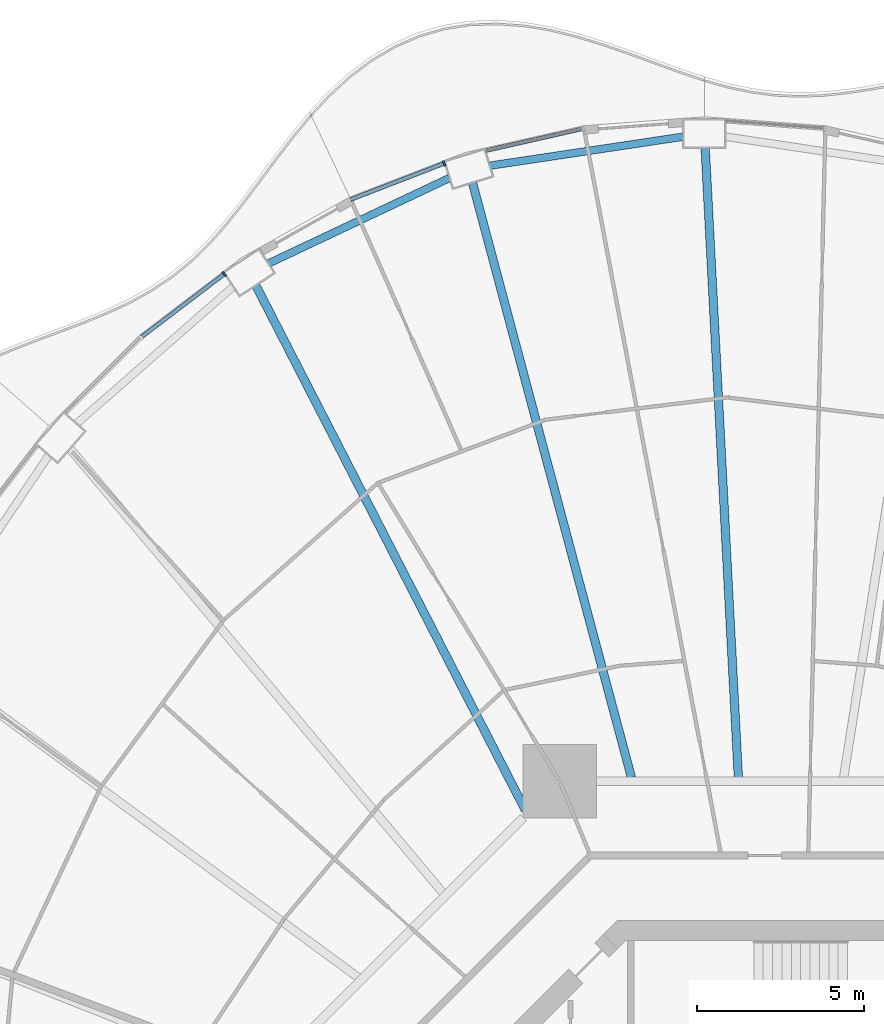
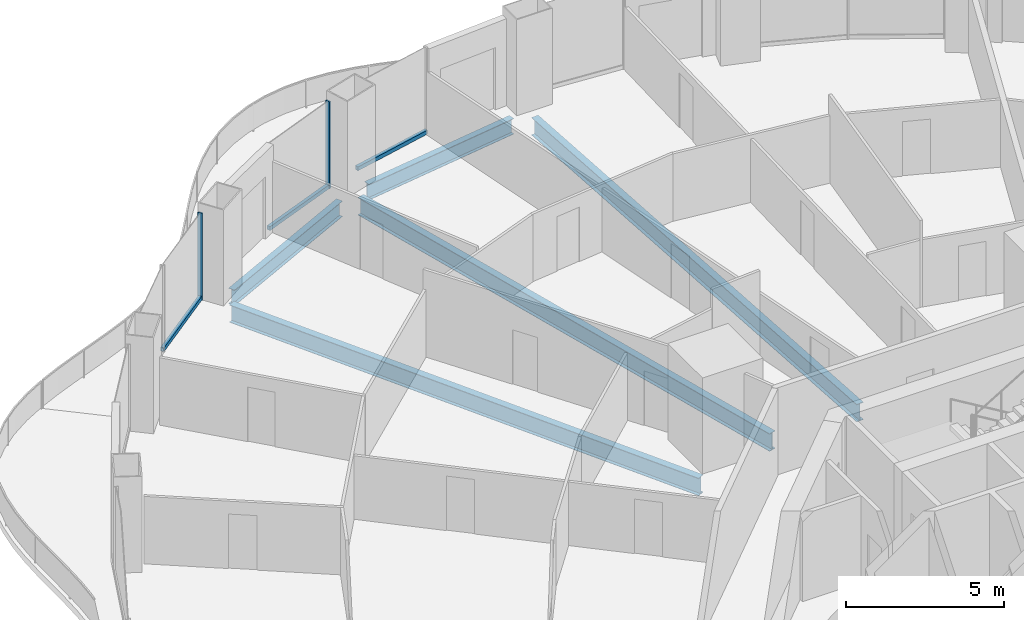
# One storey, part 9 of 23: 5 beams, 5 members, 3 elements without a shape of their own.
"""IFC4 building model written with IfcOpenShell, lengths in metres."""

from ifc_helpers import new_model, si_unit, direction, frame, origin, origin_2d, place, context, subcontext, project, spatial, rectangle, i_section, extrude, material, layer, layer_set, material_profile, profile_set, type_object, element, aggregate, save


model = new_model("IFC4")

# Units and contexts
model_context = context("Model", 3, precision=1e-05, world=origin(), true_north=direction((0.0, 1.0)))
body_context = subcontext(model_context, "Body", "Model", "MODEL_VIEW")
ifc_project = project(units=[si_unit("LENGTHUNIT", "METRE"), si_unit("AREAUNIT", "SQUARE_METRE"), si_unit("VOLUMEUNIT", "CUBIC_METRE"), si_unit("PLANEANGLEUNIT", "RADIAN"), si_unit("MASSUNIT", "GRAM", prefix="KILO")], contexts=[model_context])

# Site, building, storey
site_placement = place(None, origin())
site = spatial("IfcSite", under=ifc_project, at=site_placement, CompositionType="ELEMENT")
building_placement = place(site_placement, origin())
building = spatial("IfcBuilding", under=site, at=building_placement, Name="Nagisa Residences", CompositionType="ELEMENT")
storey_placement = place(building_placement, frame((0.0, 0.0, 110.300048828125)))
storey = spatial("IfcBuildingStorey", under=building, at=storey_placement, Name="L27", CompositionType="ELEMENT", Elevation=110.300048828125)

# Curtain wall, member
ifc_material_1 = material(Name="Concrete-coloured aluminium curtain wall system", Category="concrete")
ifc_layer = layer(ifc_material_1, 0.159912109375)
ifc_layer_set = layer_set([ifc_layer], Name="CW1 CURTAIN WALL")
curtain_wall_type = type_object("IfcCurtainWallType", Name="CW1 CURTAIN WALL", PredefinedType="NOTDEFINED", material=ifc_layer_set)
curtain_wall_1_placement = place(storey_placement, origin())
curtain_wall_1 = element("IfcCurtainWall", 1, at=curtain_wall_1_placement, inside=storey, type_object=curtain_wall_type, Name="cw:CW1:L27:14", PredefinedType="NOTDEFINED")
ifc_material_2 = material(Name="Concrete-coloured aluminium", Category="concrete")
ifc_material_profile_1 = material_profile(ifc_material_2, rectangle(XDim=0.159912109375, YDim=0.06005859375, at=origin_2d()), Name="CW1 MULLION 160x60")
ifc_profile_set_1 = profile_set([ifc_material_profile_1], Name="Concrete-coloured aluminium")
member_type_1 = type_object("IfcMemberType", Name="CW1 MULLION 160x60", PredefinedType="MULLION", material=ifc_profile_set_1)
member_1_placement = place(storey_placement, frame((-9.573486328125, 33.2392578125, 0.0), z_axis=(0.0, 0.0, 1.0), x_axis=(0.360327770268, -0.932825759707, 0.0)))
member_1 = element("IfcMember", 2, at=member_1_placement, type_object=member_type_1, Name="CW1 mullion", PredefinedType="MULLION", context=body_context, shape_type="SweptSolid", body=[
    extrude(rectangle(XDim=0.159912109375, YDim=0.06005859375, at=origin_2d()), origin(), (0.0, 0.0, 1.0), 3.349853515625),
])

curtain_wall_2_placement = place(storey_placement, origin())
curtain_wall_2 = element("IfcCurtainWall", 3, at=curtain_wall_2_placement, inside=storey, type_object=curtain_wall_type, Name="cw:CW1:L27:16", PredefinedType="NOTDEFINED")
member_2_placement = place(storey_placement, frame((-16.140380859375, 29.935302734375, 0.0), z_axis=(0.0, 0.0, 1.0), x_axis=(0.605255421737, -0.79603132756, 0.0)))
member_2 = element("IfcMember", 4, at=member_2_placement, type_object=member_type_1, Name="CW1 mullion", PredefinedType="MULLION", context=body_context, shape_type="SweptSolid", body=[
    extrude(rectangle(XDim=0.159912109375, YDim=0.06005859375, at=origin_2d()), origin(), (0.0, 0.0, 1.0), 3.349853515625),
])

curtain_wall_3_placement = place(storey_placement, origin())
curtain_wall_3 = element("IfcCurtainWall", 5, at=curtain_wall_3_placement, inside=storey, type_object=curtain_wall_type, Name="cw:CW1:L27:13", PredefinedType="NOTDEFINED")
ifc_material_3 = material(Name="Concrete-coloured aluminium", Category="concrete")
ifc_material_profile_2 = material_profile(ifc_material_3, rectangle(XDim=0.1201171875, YDim=0.14990234375, at=origin_2d()), Name="CW1 TRANSOM 120x150")
ifc_profile_set_2 = profile_set([ifc_material_profile_2], Name="Concrete-coloured aluminium")
member_type_2 = type_object("IfcMemberType", Name="CW1 TRANSOM 120x150", PredefinedType="USERDEFINED", material=ifc_profile_set_2)
member_3_placement = place(storey_placement, frame((-5.397216796875, 34.28515625, 0.074951171875), z_axis=(-0.975317607872, -0.220806620767, 0.0), x_axis=(0.220806620767, -0.975317607872, 0.0)))
member_3 = element("IfcMember", 6, at=member_3_placement, type_object=member_type_2, Name="CW1 transom", ObjectType="TRANSOM", PredefinedType="USERDEFINED", context=body_context, shape_type="SweptSolid", body=[
    extrude(rectangle(XDim=0.1201171875, YDim=0.14990234375, at=origin_2d()), origin(), (0.0, 0.0, 1.0), 2.9931640625),
])
aggregate(curtain_wall_3, [member_3])

# Member
member_4_placement = place(storey_placement, frame((-9.54541015625, 33.25, 0.074951171875), z_axis=(-0.932837560624, -0.360297218263, 0.0), x_axis=(0.360297218263, -0.932837560624, 0.0)))
member_4 = element("IfcMember", 7, at=member_4_placement, type_object=member_type_2, Name="CW1 transom", ObjectType="TRANSOM", PredefinedType="USERDEFINED", context=body_context, shape_type="SweptSolid", body=[
    extrude(rectangle(XDim=0.1201171875, YDim=0.14990234375, at=origin_2d()), origin(), (0.0, 0.0, 1.0), 3.027587890625),
])

aggregate(curtain_wall_1, [member_1, member_4])

member_5_placement = place(storey_placement, frame((-16.116455078125, 29.953369140625, 0.074951171875), z_axis=(-0.796066111963, -0.605209670598, 0.0), x_axis=(0.605209670598, -0.796066111963, 0.0)))
member_5 = element("IfcMember", 8, at=member_5_placement, type_object=member_type_2, Name="CW1 transom", ObjectType="TRANSOM", PredefinedType="USERDEFINED", context=body_context, shape_type="SweptSolid", body=[
    extrude(rectangle(XDim=0.1201171875, YDim=0.14990234375, at=origin_2d()), origin(), (0.0, 0.0, 1.0), 3.134033203125),
])

aggregate(curtain_wall_2, [member_2, member_5])

# Beams
ifc_material_4 = material(Name="Steel ASTM A572 Gr 50", Category="steel")
ifc_material_profile_3 = material_profile(ifc_material_4, i_section(OverallWidth=0.22802734375, OverallDepth=0.60302734375, WebThickness=0.010498046875, FlangeThickness=0.014892578125, at=origin_2d()), Name="W610x101")
ifc_profile_set_3 = profile_set([ifc_material_profile_3], Name="Steel ASTM A572 Gr 50")
beam_type_1 = type_object("IfcBeamType", Name="Perimeter ring beam W610x101", PredefinedType="BEAM", material=ifc_profile_set_3)
beam_1_placement = place(storey_placement, frame((-2.43017578125, 34.0380859375, -0.5615234375), z_axis=(-0.988913048607, -0.148495731568, 0.0), x_axis=(0.148495731568, -0.988913048607, 0.0)))
element("IfcBeam", 9, at=beam_1_placement, inside=storey, type_object=beam_type_1, Name="beam:L27:pb07", PredefinedType="BEAM", context=body_context, shape_type="SweptSolid", body=[
    extrude(i_section(OverallWidth=0.22802734375, OverallDepth=0.60302734375, WebThickness=0.010498046875, FlangeThickness=0.014892578125, at=origin_2d()), origin(), (0.0, 0.0, 1.0), 5.843017578125),
])
beam_2_placement = place(storey_placement, frame((-9.41455078125, 32.8037109375, -0.5615234375), z_axis=(-0.90418952838, -0.427131474804, 0.0), x_axis=(0.427131474804, -0.90418952838, 0.0)))
element("IfcBeam", 10, at=beam_2_placement, inside=storey, type_object=beam_type_1, Name="beam:L27:pb08", PredefinedType="BEAM", context=body_context, shape_type="SweptSolid", body=[
    extrude(i_section(OverallWidth=0.22802734375, OverallDepth=0.60302734375, WebThickness=0.010498046875, FlangeThickness=0.014892578125, at=origin_2d()), origin(), (0.0, 0.0, 1.0), 5.98046875),
])
ifc_material_5 = material(Name="Steel ASTM A572 Gr 50", Category="steel")
ifc_material_profile_4 = material_profile(ifc_material_5, i_section(OverallWidth=0.2529296875, OverallDepth=0.677978515625, WebThickness=0.01171875, FlangeThickness=0.016357421875, at=origin_2d()), Name="W690x125")
ifc_profile_set_4 = profile_set([ifc_material_profile_4], Name="Steel ASTM A572 Gr 50")
beam_type_2 = type_object("IfcBeamType", Name="Radial beam W690x125", PredefinedType="BEAM", material=ifc_profile_set_4)
beam_3_placement = place(storey_placement, frame((-1.77734375, 33.70263671875, -0.59912109375), z_axis=(0.05266700958, -0.998612129959, 0.0), x_axis=(0.998612129959, 0.05266700958, 0.0)))
element("IfcBeam", 11, at=beam_3_placement, inside=storey, type_object=beam_type_2, Name="beam:L27:rb07", PredefinedType="BEAM", context=body_context, shape_type="SweptSolid", body=[
    extrude(i_section(OverallWidth=0.2529296875, OverallDepth=0.677978515625, WebThickness=0.01171875, FlangeThickness=0.016357421875, at=origin_2d()), origin(), (0.0, 0.0, 1.0), 18.834228515625),
])
beam_4_placement = place(storey_placement, frame((-8.7275390625, 32.66015625, -0.59912109375), z_axis=(0.258170831181, -0.96609928161, 0.0), x_axis=(0.96609928161, 0.258170831181, 0.0)))
element("IfcBeam", 12, at=beam_4_placement, inside=storey, type_object=beam_type_2, Name="beam:L27:rb08", PredefinedType="BEAM", context=body_context, shape_type="SweptSolid", body=[
    extrude(i_section(OverallWidth=0.2529296875, OverallDepth=0.677978515625, WebThickness=0.01171875, FlangeThickness=0.016357421875, at=origin_2d()), origin(), (0.0, 0.0, 1.0), 18.38818359375),
])
beam_5_placement = place(storey_placement, frame((-15.199951171875, 29.5927734375, -0.59912109375), z_axis=(0.456890609608, -0.889522889448, 0.0), x_axis=(0.889522889448, 0.456890609608, 0.0)))
element("IfcBeam", 13, at=beam_5_placement, inside=storey, type_object=beam_type_2, Name="beam:L27:rb09", PredefinedType="BEAM", context=body_context, shape_type="SweptSolid", body=[
    extrude(i_section(OverallWidth=0.2529296875, OverallDepth=0.677978515625, WebThickness=0.01171875, FlangeThickness=0.016357421875, at=origin_2d()), origin(), (0.0, 0.0, 1.0), 17.622314453125),
])

save(model, "model.ifc")
